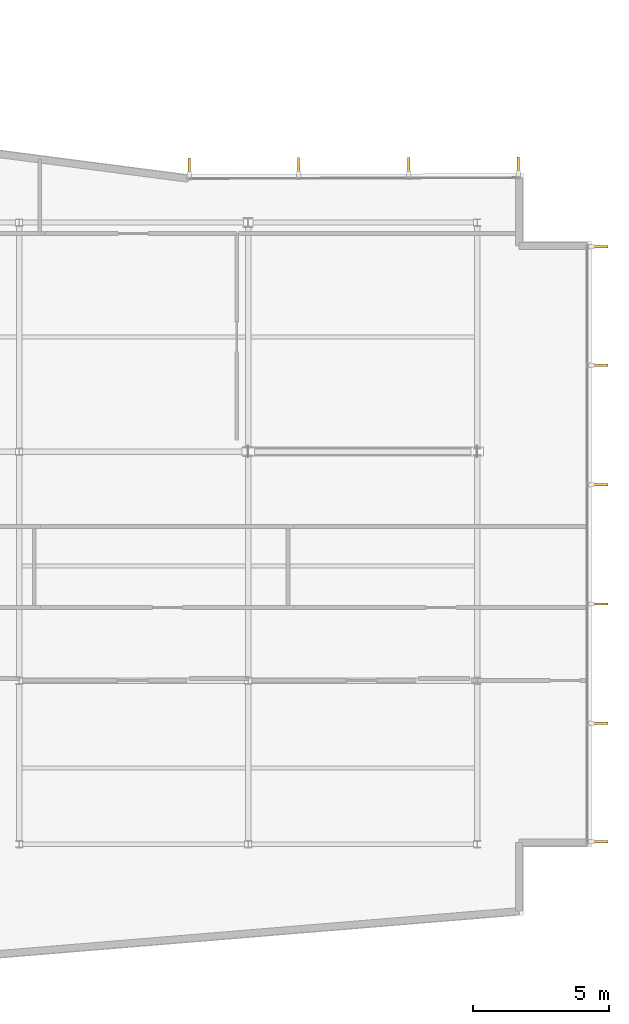
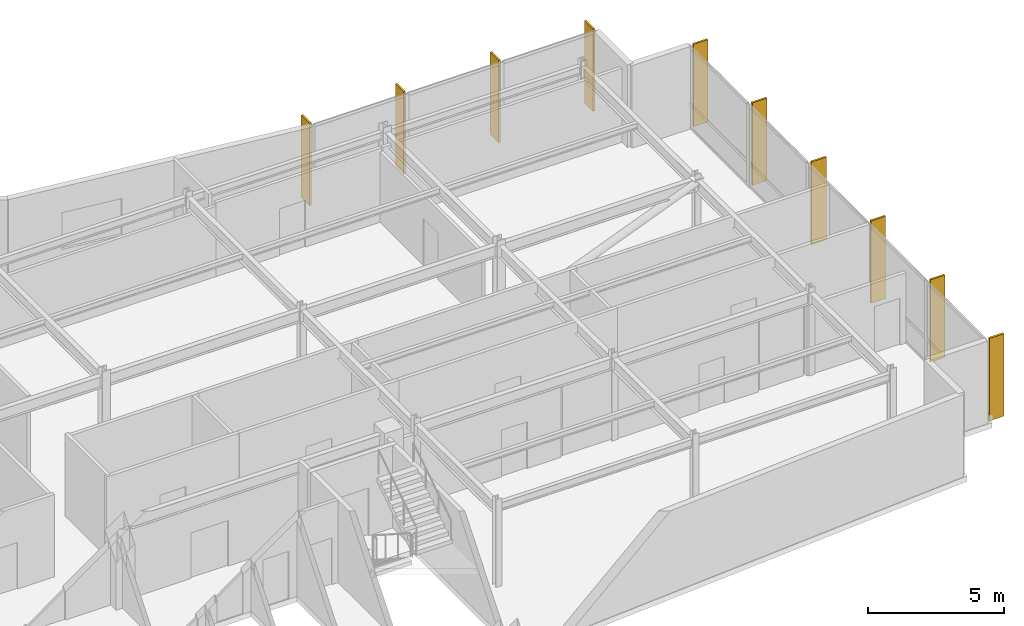
# One storey, part 18 of 19: 10 shading devices.
"""IFC4 building model written with IfcOpenShell, lengths in metres."""

from ifc_helpers import new_model, si_unit, direction, frame, origin, origin_2d, place, context, subcontext, project, spatial, rectangle, extrude, material, layer, layer_set, type_object, element, save


model = new_model("IFC4")

# Units and contexts
model_context = context("Model", 3, precision=1e-05, world=origin(), true_north=direction((0.0, 1.0)))
body_context = subcontext(model_context, "Body", "Model", "MODEL_VIEW")
ifc_project = project(units=[si_unit("LENGTHUNIT", "METRE"), si_unit("AREAUNIT", "SQUARE_METRE"), si_unit("VOLUMEUNIT", "CUBIC_METRE"), si_unit("PLANEANGLEUNIT", "RADIAN"), si_unit("MASSUNIT", "GRAM", prefix="KILO")], contexts=[model_context])

# Site, building, storey
site_placement = place(None, origin())
site = spatial("IfcSite", under=ifc_project, at=site_placement, CompositionType="ELEMENT")
building_placement = place(site_placement, origin())
building = spatial("IfcBuilding", under=site, at=building_placement, Name="Varnakote Quay Hospital", CompositionType="ELEMENT")
storey_placement = place(building_placement, frame((0.0, 0.0, 240.75)))
storey = spatial("IfcBuildingStorey", under=building, at=storey_placement, Name="L59", CompositionType="ELEMENT", Elevation=240.75)

# Shading devices
ifc_material = material(Name="Anodised aluminium 6063-T6 Bronze", Category="aluminium")
ifc_layer = layer(ifc_material, 0.0849609375)
ifc_layer_set = layer_set([ifc_layer], Name="Anodised aluminium 6063-T6 Bronze")
shading_device_type = type_object("IfcShadingDeviceType", Name="SHD-BRONZE-FIN-620", PredefinedType="USERDEFINED", material=ifc_layer_set)
for number, where, z_axis, x_axis, name in (
    (1, (46.489990234375, 6.092529296875, 0.0), (0.0, 0.0, 1.0), (-1.0, 0.0, 0.0), "L59 Anodised Bronze Vertical Shading FIN"),
    (2, (46.489990234375, 10.43603515625, 0.0), (0.0, 0.0, 1.0), (-1.0, 0.0, 0.0), "L59 Anodised Bronze Vertical Shading FIN"),
    (3, (46.489990234375, 14.81201171875, 0.0), (0.0, 0.0, 1.0), (-1.0, 0.0, 0.0), "L59 Anodised Bronze Vertical Shading FIN"),
    (4, (46.489990234375, 19.18798828125, 0.0), (0.0, 0.0, 1.0), (-1.0, 0.0, 0.0), "L59 Anodised Bronze Vertical Shading FIN"),
    (5, (46.489990234375, 23.56396484375, 0.0), (0.0, 0.0, 1.0), (-1.0, 0.0, 0.0), "L59 Anodised Bronze Vertical Shading FIN"),
    (6, (46.489990234375, 27.907470703125, 0.0), (0.0, 0.0, 1.0), (-1.0, 0.0, 0.0), "L59 Anodised Bronze Vertical Shading FIN"),
    (7, (43.50634765625, 30.889404296875, 0.0), (0.0, 0.0, 1.0), (0.002617990887, -0.999996573056, 0.0), "L59 Anodised Bronze Vertical Shading FIN"),
    (8, (39.494140625, 30.879150390625, 0.0), (0.0, 0.0, 1.0), (0.002617990887, -0.999996573056, 0.0), "L59 Anodised Bronze Vertical Shading FIN"),
    (9, (35.449462890625, 30.868408203125, 0.0), (0.0, 0.0, 1.0), (0.002617990887, -0.999996573056, 0.0), "L59 Anodised Bronze Vertical Shading FIN"),
    (10, (31.437255859375, 30.858154296875, 0.0), (0.0, 0.0, 1.0), (0.002617990887, -0.999996573056, 0.0), "L59 Anodised Bronze Vertical Shading FIN"),
):
    element("IfcShadingDevice", number, at=place(storey_placement, frame(where, z_axis=z_axis, x_axis=x_axis)), inside=storey, type_object=shading_device_type, Name=name, ObjectType="FIN", PredefinedType="USERDEFINED", context=body_context, shape_type="SweptSolid", body=[
        extrude(rectangle(XDim=0.6201171875, YDim=0.0849609375, at=origin_2d()), origin(), (0.0, 0.0, 1.0), 3.7099609375),
    ])

save(model, "model.ifc")
